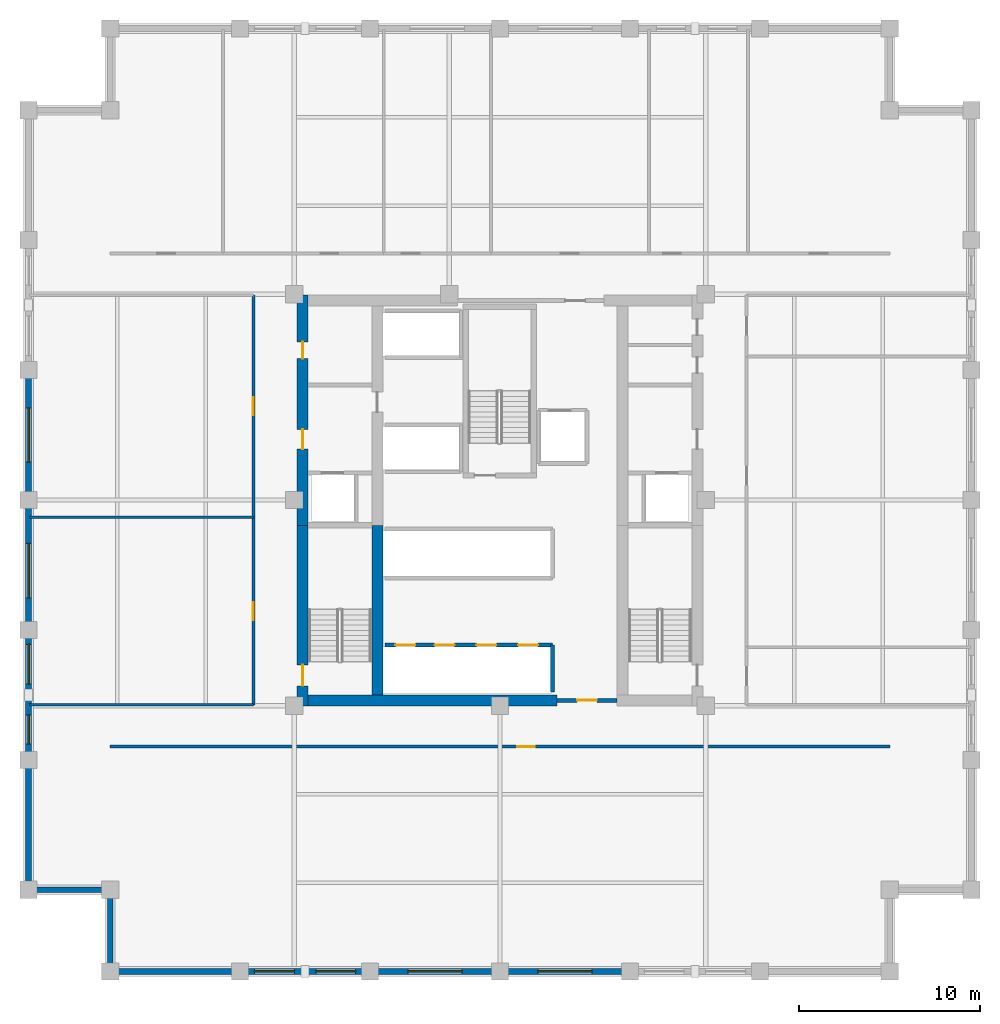
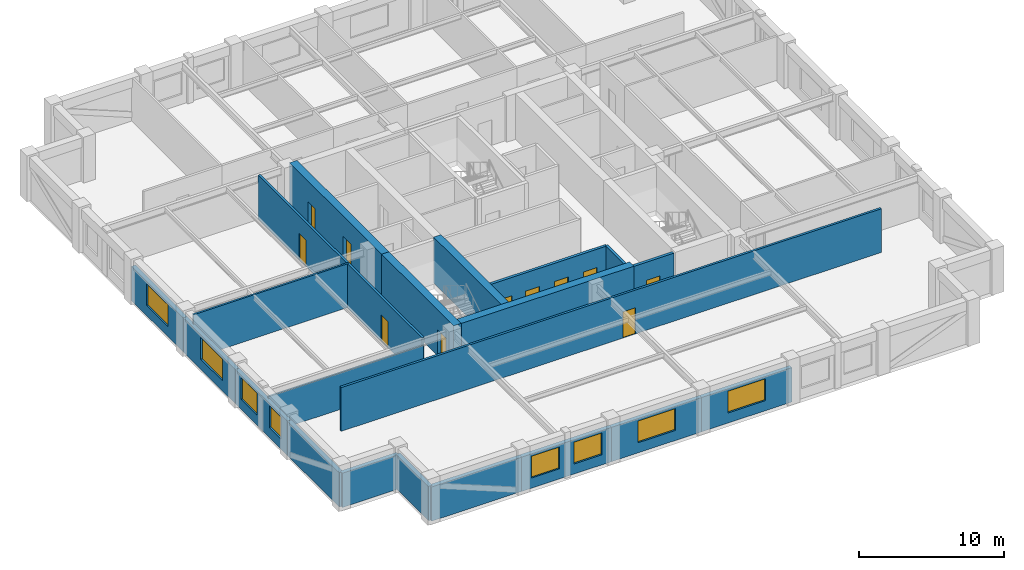
# One storey, part 2 of 6: 22 walls, 11 doors, 8 windows, 19 openings.
"""IFC4 building model written with IfcOpenShell, lengths in metres."""

from ifc_helpers import new_model, si_unit, direction, frame, frame_2d, origin, place, context, subcontext, project, spatial, rectangle, extrude, material, layer, layer_set, type_object, element, fill, save


model = new_model("IFC4")

# Units and contexts
model_context = context("Model", 3, precision=1e-05, world=origin(), true_north=direction((0.0, 1.0)))
body_context = subcontext(model_context, "Body", "Model", "MODEL_VIEW")
ifc_project = project(units=[si_unit("LENGTHUNIT", "METRE"), si_unit("AREAUNIT", "SQUARE_METRE"), si_unit("VOLUMEUNIT", "CUBIC_METRE"), si_unit("PLANEANGLEUNIT", "RADIAN"), si_unit("MASSUNIT", "GRAM", prefix="KILO")], contexts=[model_context])

# Site, building, storey
site_placement = place(None, origin())
site = spatial("IfcSite", under=ifc_project, at=site_placement, CompositionType="ELEMENT")
building_placement = place(site_placement, origin())
building = spatial("IfcBuilding", under=site, at=building_placement, Name="Nhamokura Convention Tower", CompositionType="ELEMENT")
storey_placement = place(building_placement, frame((0.0, 0.0, 114.449951171875)))
storey = spatial("IfcBuildingStorey", under=building, at=storey_placement, Name="L27", CompositionType="ELEMENT", Elevation=114.449951171875)

# Wall
ifc_material_1 = material(Name="Bronze-pigmented precast concrete C45/55", Category="concrete")
ifc_layer_1 = layer(ifc_material_1, 0.320068359375)
ifc_layer_set_1 = layer_set([ifc_layer_1], Name="BronzePrecastSpandrel_320")
wall_type_1 = type_object("IfcWallType", Name="BronzePrecastSpandrel_320", PredefinedType="USERDEFINED", material=ifc_layer_set_1)
wall_1_placement = place(storey_placement, frame((17.666748046875, 6.0, 0.0), z_axis=(0.0, 0.0, 1.0), x_axis=(-1.0, 0.0, 0.0)))
element("IfcWall", 1, at=wall_1_placement, inside=storey, type_object=wall_type_1, Name="L27 Braced-Bay Precast Wall SOUTH 0", ObjectType="SPANDREL_WALL", PredefinedType="USERDEFINED", context=body_context, shape_type="SweptSolid", body=[
    extrude(rectangle(XDim=7.166748046875, YDim=0.320068359375, at=frame_2d((3.58349609375, 0.0))), origin(), (0.0, 0.0, 1.0), 2.885009765625),
])

# Wall, openings, windows
wall_2_placement = place(storey_placement, frame((24.833251953125, 6.0, 0.0), z_axis=(0.0, 0.0, 1.0), x_axis=(-1.0, 0.0, 0.0)))
wall_2 = element("IfcWall", 2, at=wall_2_placement, inside=storey, type_object=wall_type_1, Name="L27 Masonry-Frame Wall SOUTH 1", ObjectType="SPANDREL_WALL", PredefinedType="USERDEFINED", context=body_context, shape_type="SweptSolid", body=[
    extrude(rectangle(XDim=7.16650390625, YDim=0.320068359375, at=frame_2d((3.583251953125, 0.0))), origin(), (0.0, 0.0, 1.0), 2.885009765625),
])
opening_1_placement = place(wall_2_placement, frame((0.791748046875, 0.0, 0.85009765625)))
opening_1 = element("IfcOpeningElement", 3, at=opening_1_placement, cuts=wall_2, Name="Opening W-06", PredefinedType="OPENING", context=body_context, shape_type="SweptSolid", body=[
    extrude(rectangle(XDim=2.199951171875, YDim=1.8349609375, at=frame_2d((1.10009765625, 0.91748046875))), frame((0.0, 0.169921875, 0.0), z_axis=(0.0, -1.0, 0.0), x_axis=(1.0, 0.0, 0.0)), (0.0, 0.0, 1.0), 0.340087890625),
])
opening_2_placement = place(wall_2_placement, frame((4.175048828125, 0.0, 0.85009765625)))
opening_2 = element("IfcOpeningElement", 4, at=opening_2_placement, cuts=wall_2, Name="Opening W-06", PredefinedType="OPENING", context=body_context, shape_type="SweptSolid", body=[
    extrude(rectangle(XDim=2.199951171875, YDim=1.8349609375, at=frame_2d((1.10009765625, 0.91748046875))), frame((0.0, 0.169921875, 0.0), z_axis=(0.0, -1.0, 0.0), x_axis=(1.0, 0.0, 0.0)), (0.0, 0.0, 1.0), 0.340087890625),
])
ifc_material_2 = material(Name="Solar-control bronze low-E double glass", Category="glass")
window_type_1 = type_object("IfcWindowType", Name="OfficeModuleWindow_Z2_2200", PartitioningType="SINGLE_PANEL", PredefinedType="WINDOW", material=ifc_material_2)
window_1_placement = place(opening_1_placement, origin())
window_1 = element("IfcWindow", 5, at=window_1_placement, inside=storey, type_object=window_type_1, Name="L27 Facade Window SOUTH 1-1", OverallHeight=1.8349609375, OverallWidth=2.199951171875, PartitioningType="SINGLE_PANEL", PredefinedType="WINDOW", context=body_context, shape_type="SweptSolid", body=[
    extrude(rectangle(XDim=2.199951171875, YDim=1.8349609375, at=frame_2d((1.10009765625, 0.91748046875))), frame((0.0, 0.030029296875, 0.0), z_axis=(0.0, -1.0, 0.0), x_axis=(1.0, 0.0, 0.0)), (0.0, 0.0, 1.0), 0.06005859375),
])
fill(opening_1, window_1)
window_2_placement = place(opening_2_placement, origin())
window_2 = element("IfcWindow", 6, at=window_2_placement, inside=storey, type_object=window_type_1, Name="L27 Facade Window SOUTH 1-2", OverallHeight=1.8349609375, OverallWidth=2.199951171875, PartitioningType="SINGLE_PANEL", PredefinedType="WINDOW", context=body_context, shape_type="SweptSolid", body=[
    extrude(rectangle(XDim=2.199951171875, YDim=1.8349609375, at=frame_2d((1.10009765625, 0.91748046875))), frame((0.0, 0.030029296875, 0.0), z_axis=(0.0, -1.0, 0.0), x_axis=(1.0, 0.0, 0.0)), (0.0, 0.0, 1.0), 0.06005859375),
])
fill(opening_2, window_2)

# Wall, opening, window
wall_3_placement = place(storey_placement, frame((32.0, 6.0, 0.0), z_axis=(0.0, 0.0, 1.0), x_axis=(-1.0, 0.0, 0.0)))
wall_3 = element("IfcWall", 7, at=wall_3_placement, inside=storey, type_object=wall_type_1, Name="L27 Masonry-Frame Wall SOUTH 2", ObjectType="SPANDREL_WALL", PredefinedType="USERDEFINED", context=body_context, shape_type="SweptSolid", body=[
    extrude(rectangle(XDim=7.166748046875, YDim=0.320068359375, at=frame_2d((3.58349609375, 0.0))), origin(), (0.0, 0.0, 1.0), 2.885009765625),
])
opening_3_placement = place(wall_3_placement, frame((2.083251953125, 0.0, 0.85009765625)))
opening_3 = element("IfcOpeningElement", 8, at=opening_3_placement, cuts=wall_3, Name="Opening W-05", PredefinedType="OPENING", context=body_context, shape_type="SweptSolid", body=[
    extrude(rectangle(XDim=3.0, YDim=1.8349609375, at=frame_2d((1.5, 0.91748046875))), frame((0.0, 0.169921875, 0.0), z_axis=(0.0, -1.0, 0.0), x_axis=(1.0, 0.0, 0.0)), (0.0, 0.0, 1.0), 0.340087890625),
])
ifc_material_3 = material(Name="Solar-control bronze low-E double glass", Category="glass")
window_type_2 = type_object("IfcWindowType", Name="OfficeModuleWindow_Z2_3000", PartitioningType="DOUBLE_PANEL_VERTICAL", PredefinedType="WINDOW", material=ifc_material_3)
window_3_placement = place(opening_3_placement, origin())
window_3 = element("IfcWindow", 9, at=window_3_placement, inside=storey, type_object=window_type_2, Name="L27 Facade Window SOUTH 2", OverallHeight=1.8349609375, OverallWidth=3.0, PartitioningType="SINGLE_PANEL", PredefinedType="WINDOW", context=body_context, shape_type="SweptSolid", body=[
    extrude(rectangle(XDim=3.0, YDim=1.8349609375, at=frame_2d((1.5, 0.91748046875))), frame((0.0, 0.030029296875, 0.0), z_axis=(0.0, -1.0, 0.0), x_axis=(1.0, 0.0, 0.0)), (0.0, 0.0, 1.0), 0.06005859375),
])
fill(opening_3, window_3)

wall_4_placement = place(storey_placement, frame((39.166748046875, 6.0, 0.0), z_axis=(0.0, 0.0, 1.0), x_axis=(-1.0, 0.0, 0.0)))
wall_4 = element("IfcWall", 10, at=wall_4_placement, inside=storey, type_object=wall_type_1, Name="L27 Masonry-Frame Wall SOUTH 3", ObjectType="SPANDREL_WALL", PredefinedType="USERDEFINED", context=body_context, shape_type="SweptSolid", body=[
    extrude(rectangle(XDim=7.166748046875, YDim=0.320068359375, at=frame_2d((3.58349609375, 0.0))), origin(), (0.0, 0.0, 1.0), 2.885009765625),
])
opening_4_placement = place(wall_4_placement, frame((2.083251953125, 0.0, 0.85009765625)))
opening_4 = element("IfcOpeningElement", 11, at=opening_4_placement, cuts=wall_4, Name="Opening W-05", PredefinedType="OPENING", context=body_context, shape_type="SweptSolid", body=[
    extrude(rectangle(XDim=3.0, YDim=1.8349609375, at=frame_2d((1.5, 0.91748046875))), frame((0.0, 0.169921875, 0.0), z_axis=(0.0, -1.0, 0.0), x_axis=(1.0, 0.0, 0.0)), (0.0, 0.0, 1.0), 0.340087890625),
])
window_4_placement = place(opening_4_placement, origin())
window_4 = element("IfcWindow", 12, at=window_4_placement, inside=storey, type_object=window_type_2, Name="L27 Facade Window SOUTH 3", OverallHeight=1.8349609375, OverallWidth=3.0, PartitioningType="SINGLE_PANEL", PredefinedType="WINDOW", context=body_context, shape_type="SweptSolid", body=[
    extrude(rectangle(XDim=3.0, YDim=1.8349609375, at=frame_2d((1.5, 0.91748046875))), frame((0.0, 0.030029296875, 0.0), z_axis=(0.0, -1.0, 0.0), x_axis=(1.0, 0.0, 0.0)), (0.0, 0.0, 1.0), 0.06005859375),
])
fill(opening_4, window_4)

# Wall
wall_5_placement = place(storey_placement, frame((6.0, 10.5, 0.0), z_axis=(0.0, 0.0, 1.0), x_axis=(0.0, 1.0, 0.0)))
element("IfcWall", 13, at=wall_5_placement, inside=storey, type_object=wall_type_1, Name="L27 Braced-Bay Precast Wall WEST 0", ObjectType="SPANDREL_WALL", PredefinedType="USERDEFINED", context=body_context, shape_type="SweptSolid", body=[
    extrude(rectangle(XDim=7.166748046875, YDim=0.320068359375, at=frame_2d((3.58349609375, 0.0))), origin(), (0.0, 0.0, 1.0), 2.885009765625),
])

# Wall, openings, windows
wall_6_placement = place(storey_placement, frame((6.0, 17.666748046875, 0.0), z_axis=(0.0, 0.0, 1.0), x_axis=(0.0, 1.0, 0.0)))
wall_6 = element("IfcWall", 14, at=wall_6_placement, inside=storey, type_object=wall_type_1, Name="L27 Masonry-Frame Wall WEST 1", ObjectType="SPANDREL_WALL", PredefinedType="USERDEFINED", context=body_context, shape_type="SweptSolid", body=[
    extrude(rectangle(XDim=7.16650390625, YDim=0.320068359375, at=frame_2d((3.583251953125, 0.0))), origin(), (0.0, 0.0, 1.0), 2.885009765625),
])
opening_5_placement = place(wall_6_placement, frame((0.879150390625, 0.0, 0.85009765625)))
opening_5 = element("IfcOpeningElement", 15, at=opening_5_placement, cuts=wall_6, Name="Opening W-11", PredefinedType="OPENING", context=body_context, shape_type="SweptSolid", body=[
    extrude(rectangle(XDim=1.60009765625, YDim=1.8349609375, at=frame_2d((0.800048828125, 0.91748046875))), frame((0.0, 0.169921875, 0.0), z_axis=(0.0, -1.0, 0.0), x_axis=(1.0, 0.0, 0.0)), (0.0, 0.0, 1.0), 0.340087890625),
])
opening_6_placement = place(wall_6_placement, frame((4.175048828125, 0.0, 0.85009765625)))
opening_6 = element("IfcOpeningElement", 16, at=opening_6_placement, cuts=wall_6, Name="Opening W-06", PredefinedType="OPENING", context=body_context, shape_type="SweptSolid", body=[
    extrude(rectangle(XDim=2.199951171875, YDim=1.8349609375, at=frame_2d((1.10009765625, 0.91748046875))), frame((0.0, 0.169921875, 0.0), z_axis=(0.0, -1.0, 0.0), x_axis=(1.0, 0.0, 0.0)), (0.0, 0.0, 1.0), 0.340087890625),
])
ifc_material_4 = material(Name="Solar-control bronze low-E double glass", Category="glass")
window_type_3 = type_object("IfcWindowType", Name="NotchCornerWindow_1600", PartitioningType="SINGLE_PANEL", PredefinedType="WINDOW", material=ifc_material_4)
window_5_placement = place(opening_5_placement, origin())
window_5 = element("IfcWindow", 17, at=window_5_placement, inside=storey, type_object=window_type_3, Name="L27 Facade Window WEST 1-1", OverallHeight=1.8349609375, OverallWidth=1.60009765625, PartitioningType="SINGLE_PANEL", PredefinedType="WINDOW", context=body_context, shape_type="SweptSolid", body=[
    extrude(rectangle(XDim=1.60009765625, YDim=1.8349609375, at=frame_2d((0.800048828125, 0.91748046875))), frame((0.0, 0.030029296875, 0.0), z_axis=(0.0, -1.0, 0.0), x_axis=(1.0, 0.0, 0.0)), (0.0, 0.0, 1.0), 0.06005859375),
])
fill(opening_5, window_5)
window_6_placement = place(opening_6_placement, origin())
window_6 = element("IfcWindow", 18, at=window_6_placement, inside=storey, type_object=window_type_1, Name="L27 Facade Window WEST 1-2", OverallHeight=1.8349609375, OverallWidth=2.199951171875, PartitioningType="SINGLE_PANEL", PredefinedType="WINDOW", context=body_context, shape_type="SweptSolid", body=[
    extrude(rectangle(XDim=2.199951171875, YDim=1.8349609375, at=frame_2d((1.10009765625, 0.91748046875))), frame((0.0, 0.030029296875, 0.0), z_axis=(0.0, -1.0, 0.0), x_axis=(1.0, 0.0, 0.0)), (0.0, 0.0, 1.0), 0.06005859375),
])
fill(opening_6, window_6)

# Wall, opening, window
wall_7_placement = place(storey_placement, frame((6.0, 24.833251953125, 0.0), z_axis=(0.0, 0.0, 1.0), x_axis=(0.0, 1.0, 0.0)))
wall_7 = element("IfcWall", 19, at=wall_7_placement, inside=storey, type_object=wall_type_1, Name="L27 Masonry-Frame Wall WEST 2", ObjectType="SPANDREL_WALL", PredefinedType="USERDEFINED", context=body_context, shape_type="SweptSolid", body=[
    extrude(rectangle(XDim=7.166748046875, YDim=0.320068359375, at=frame_2d((3.58349609375, 0.0))), origin(), (0.0, 0.0, 1.0), 2.885009765625),
])
opening_7_placement = place(wall_7_placement, frame((1.770751953125, 0.0, 0.85009765625)))
opening_7 = element("IfcOpeningElement", 20, at=opening_7_placement, cuts=wall_7, Name="Opening W-05", PredefinedType="OPENING", context=body_context, shape_type="SweptSolid", body=[
    extrude(rectangle(XDim=3.0, YDim=1.8349609375, at=frame_2d((1.5, 0.91748046875))), frame((0.0, 0.169921875, 0.0), z_axis=(0.0, -1.0, 0.0), x_axis=(1.0, 0.0, 0.0)), (0.0, 0.0, 1.0), 0.340087890625),
])
window_7_placement = place(opening_7_placement, origin())
window_7 = element("IfcWindow", 21, at=window_7_placement, inside=storey, type_object=window_type_2, Name="L27 Facade Window WEST 2", OverallHeight=1.8349609375, OverallWidth=3.0, PartitioningType="SINGLE_PANEL", PredefinedType="WINDOW", context=body_context, shape_type="SweptSolid", body=[
    extrude(rectangle(XDim=3.0, YDim=1.8349609375, at=frame_2d((1.5, 0.91748046875))), frame((0.0, 0.030029296875, 0.0), z_axis=(0.0, -1.0, 0.0), x_axis=(1.0, 0.0, 0.0)), (0.0, 0.0, 1.0), 0.06005859375),
])
fill(opening_7, window_7)

wall_8_placement = place(storey_placement, frame((6.0, 32.0, 0.0), z_axis=(0.0, 0.0, 1.0), x_axis=(0.0, 1.0, 0.0)))
wall_8 = element("IfcWall", 22, at=wall_8_placement, inside=storey, type_object=wall_type_1, Name="L27 Masonry-Frame Wall WEST 3", ObjectType="SPANDREL_WALL", PredefinedType="USERDEFINED", context=body_context, shape_type="SweptSolid", body=[
    extrude(rectangle(XDim=7.166748046875, YDim=0.320068359375, at=frame_2d((3.58349609375, 0.0))), origin(), (0.0, 0.0, 1.0), 2.885009765625),
])
opening_8_placement = place(wall_8_placement, frame((2.083251953125, 0.0, 0.85009765625)))
opening_8 = element("IfcOpeningElement", 23, at=opening_8_placement, cuts=wall_8, Name="Opening W-05", PredefinedType="OPENING", context=body_context, shape_type="SweptSolid", body=[
    extrude(rectangle(XDim=3.0, YDim=1.8349609375, at=frame_2d((1.5, 0.91748046875))), frame((0.0, 0.169921875, 0.0), z_axis=(0.0, -1.0, 0.0), x_axis=(1.0, 0.0, 0.0)), (0.0, 0.0, 1.0), 0.340087890625),
])
window_8_placement = place(opening_8_placement, origin())
window_8 = element("IfcWindow", 24, at=window_8_placement, inside=storey, type_object=window_type_2, Name="L27 Facade Window WEST 3", OverallHeight=1.8349609375, OverallWidth=3.0, PartitioningType="SINGLE_PANEL", PredefinedType="WINDOW", context=body_context, shape_type="SweptSolid", body=[
    extrude(rectangle(XDim=3.0, YDim=1.8349609375, at=frame_2d((1.5, 0.91748046875))), frame((0.0, 0.030029296875, 0.0), z_axis=(0.0, -1.0, 0.0), x_axis=(1.0, 0.0, 0.0)), (0.0, 0.0, 1.0), 0.06005859375),
])
fill(opening_8, window_8)

# Walls
for number, where, z_axis, x_axis, name in (
    (25, (10.5, 6.0, 0.0), (0.0, 0.0, 1.0), (0.0, 1.0, 0.0), "L27 Notched Corner Wall SW1"),
    (26, (10.5, 10.5, 0.0), (0.0, 0.0, 1.0), (-1.0, 0.0, 0.0), "L27 Notched Corner Wall SW2"),
):
    element("IfcWall", number, at=place(storey_placement, frame(where, z_axis=z_axis, x_axis=x_axis)), inside=storey, type_object=wall_type_1, Name=name, ObjectType="SPANDREL_WALL", PredefinedType="USERDEFINED", context=body_context, shape_type="SweptSolid", body=[
        extrude(rectangle(XDim=4.5, YDim=0.320068359375, at=frame_2d((2.25, 0.0))), origin(), (0.0, 0.0, 1.0), 2.885009765625),
    ])

# Wall, opening, door
ifc_material_5 = material(Name="Concrete C60/75", Category="concrete")
ifc_layer_2 = layer(ifc_material_5, 0.60009765625)
ifc_layer_set_2 = layer_set([ifc_layer_2], Name="CoreShearWall_600")
wall_type_2 = type_object("IfcWallType", Name="CoreShearWall_600", PredefinedType="SHEAR", material=ifc_layer_set_2)
wall_9_placement = place(storey_placement, frame((21.110107421875, 20.64990234375, 0.0), z_axis=(0.0, 0.0, 1.0), x_axis=(0.0, 1.0, 0.0)))
wall_9 = element("IfcWall", 27, at=wall_9_placement, inside=storey, type_object=wall_type_2, Name="L27 Core Shear Wall CW-WS", PredefinedType="SHEAR", context=body_context, shape_type="SweptSolid", body=[
    extrude(rectangle(XDim=9.9501953125, YDim=0.60009765625, at=frame_2d((4.97509765625, 0.0))), origin(), (0.0, 0.0, 1.0), 3.85009765625),
])
opening_9_placement = place(wall_9_placement, frame((1.10009765625, 0.0, 0.0)))
opening_9 = element("IfcOpeningElement", 28, at=opening_9_placement, cuts=wall_9, Name="Opening D-04", PredefinedType="OPENING", context=body_context, shape_type="SweptSolid", body=[
    extrude(rectangle(XDim=1.14990234375, YDim=2.14990234375, at=frame_2d((0.574951171875, 1.074951171875))), frame((0.0, 0.31005859375, 0.0), z_axis=(0.0, -1.0, 0.0), x_axis=(1.0, 0.0, 0.0)), (0.0, 0.0, 1.0), 0.6201171875),
])
ifc_material_6 = material(Name="Fire-rated steel door", Category="steel")
door_type_1 = type_object("IfcDoorType", Name="StairSmokeDoor_1150", OperationType="NOTDEFINED", PredefinedType="DOOR", material=ifc_material_6)
door_1_placement = place(opening_9_placement, origin())
door_1 = element("IfcDoor", 29, at=door_1_placement, inside=storey, type_object=door_type_1, Name="L27 Core Door INT-L27-D-ST01", OperationType="SINGLE_SWING_LEFT", OverallHeight=2.14990234375, OverallWidth=1.14990234375, PredefinedType="DOOR", context=body_context, shape_type="SweptSolid", body=[
    extrude(rectangle(XDim=1.14990234375, YDim=2.14990234375, at=frame_2d((0.574951171875, 1.074951171875))), frame((0.0, 0.02490234375, 0.0), z_axis=(0.0, -1.0, 0.0), x_axis=(1.0, 0.0, 0.0)), (0.0, 0.0, 1.0), 0.050048828125),
])
fill(opening_9, door_1)

# Wall, openings, doors
wall_10_placement = place(storey_placement, frame((21.110107421875, 30.60009765625, 0.0), z_axis=(0.0, 0.0, 1.0), x_axis=(0.0, 1.0, 0.0)))
wall_10 = element("IfcWall", 30, at=wall_10_placement, inside=storey, type_object=wall_type_2, Name="L27 Core Shear Wall CW-WN", PredefinedType="SHEAR", context=body_context, shape_type="SweptSolid", body=[
    extrude(rectangle(XDim=12.699951171875, YDim=0.60009765625, at=frame_2d((6.35009765625, 0.0))), origin(), (0.0, 0.0, 1.0), 3.85009765625),
])
opening_10_placement = place(wall_10_placement, frame((4.199951171875, 0.0, 0.0)))
opening_10 = element("IfcOpeningElement", 31, at=opening_10_placement, cuts=wall_10, Name="Opening D-05", PredefinedType="OPENING", context=body_context, shape_type="SweptSolid", body=[
    extrude(rectangle(XDim=1.10009765625, YDim=2.14990234375, at=frame_2d((0.550048828125, 1.074951171875))), frame((0.0, 0.31005859375, 0.0), z_axis=(0.0, -1.0, 0.0), x_axis=(1.0, 0.0, 0.0)), (0.0, 0.0, 1.0), 0.6201171875),
])
opening_11_placement = place(wall_10_placement, frame((9.199951171875, 0.0, 0.0)))
opening_11 = element("IfcOpeningElement", 32, at=opening_11_placement, cuts=wall_10, Name="Opening D-10", PredefinedType="OPENING", context=body_context, shape_type="SweptSolid", body=[
    extrude(rectangle(XDim=0.919921875, YDim=2.10009765625, at=frame_2d((0.4599609375, 1.050048828125))), frame((0.0, 0.31005859375, 0.0), z_axis=(0.0, -1.0, 0.0), x_axis=(1.0, 0.0, 0.0)), (0.0, 0.0, 1.0), 0.6201171875),
])
ifc_material_7 = material(Name="Solid oak hardwood", Category="wood")
door_type_2 = type_object("IfcDoorType", Name="AccessibleWCDoor_920", OperationType="NOTDEFINED", PredefinedType="DOOR", material=ifc_material_7)
door_2_placement = place(opening_11_placement, origin())
door_2 = element("IfcDoor", 33, at=door_2_placement, inside=storey, type_object=door_type_2, Name="L27 Core Door INT-L27-D-AWC", OperationType="SINGLE_SWING_LEFT", OverallHeight=2.10009765625, OverallWidth=0.919921875, PredefinedType="DOOR", context=body_context, shape_type="SweptSolid", body=[
    extrude(rectangle(XDim=0.919921875, YDim=2.10009765625, at=frame_2d((0.4599609375, 1.050048828125))), frame((0.0, 0.02490234375, 0.0), z_axis=(0.0, -1.0, 0.0), x_axis=(1.0, 0.0, 0.0)), (0.0, 0.0, 1.0), 0.050048828125),
])
fill(opening_11, door_2)
ifc_material_8 = material(Name="Fire-rated steel door", Category="steel")
door_type_3 = type_object("IfcDoorType", Name="FireLobbyDoor_1100", OperationType="NOTDEFINED", PredefinedType="DOOR", material=ifc_material_8)
door_3_placement = place(opening_10_placement, origin())
door_3 = element("IfcDoor", 34, at=door_3_placement, inside=storey, type_object=door_type_3, Name="L27 Core Door INT-L27-D-FFLW", OperationType="SINGLE_SWING_RIGHT", OverallHeight=2.14990234375, OverallWidth=1.10009765625, PredefinedType="DOOR", context=body_context, shape_type="SweptSolid", body=[
    extrude(rectangle(XDim=1.10009765625, YDim=2.14990234375, at=frame_2d((0.550048828125, 1.074951171875))), frame((0.0, 0.02490234375, 0.0), z_axis=(0.0, -1.0, 0.0), x_axis=(1.0, 0.0, 0.0)), (0.0, 0.0, 1.0), 0.050048828125),
])
fill(opening_10, door_3)

# Walls
wall_11_placement = place(storey_placement, frame((21.409912109375, 20.949951171875, 0.0), z_axis=(0.0, 0.0, 1.0), x_axis=(1.0, 0.0, 0.0)))
element("IfcWall", 35, at=wall_11_placement, inside=storey, type_object=wall_type_2, Name="L27 Core Shear Wall CW-S1", PredefinedType="SHEAR", context=body_context, shape_type="SweptSolid", body=[
    extrude(rectangle(XDim=13.739990234375, YDim=0.60009765625, at=frame_2d((6.8701171875, 0.0))), origin(), (0.0, 0.0, 1.0), 3.85009765625),
])
wall_12_placement = place(storey_placement, frame((25.239990234375, 21.25, 0.0), z_axis=(0.0, 0.0, 1.0), x_axis=(0.0, 1.0, 0.0)))
element("IfcWall", 36, at=wall_12_placement, inside=storey, type_object=wall_type_2, Name="L27 Core Shear Wall CW-IWS", PredefinedType="SHEAR", context=body_context, shape_type="SweptSolid", body=[
    extrude(rectangle(XDim=9.35009765625, YDim=0.60009765625, at=frame_2d((4.675048828125, 0.0))), origin(), (0.0, 0.0, 1.0), 3.85009765625),
])

# Wall, opening, door
ifc_material_9 = material(Name="Fire-rated gypsum and masonry partition", Category="masonry")
ifc_layer_3 = layer(ifc_material_9, 0.179931640625)
ifc_layer_set_3 = layer_set([ifc_layer_3], Name="CorridorRatedWall_180")
wall_type_3 = type_object("IfcWallType", Name="CorridorRatedWall_180", PredefinedType="STANDARD", material=ifc_layer_set_3)
wall_13_placement = place(storey_placement, frame((10.5, 18.39990234375, 0.0), z_axis=(0.0, 0.0, 1.0), x_axis=(1.0, 0.0, 0.0)))
wall_13 = element("IfcWall", 37, at=wall_13_placement, inside=storey, type_object=wall_type_3, Name="L27 Wall INT-L27-CW-S00", PredefinedType="STANDARD", context=body_context, shape_type="SweptSolid", body=[
    extrude(rectangle(XDim=43.0, YDim=0.179931640625, at=frame_2d((21.5, 0.0))), origin(), (0.0, 0.0, 1.0), 3.68505859375),
])
opening_12_placement = place(wall_13_placement, frame((22.449951171875, 0.0, 0.0)))
opening_12 = element("IfcOpeningElement", 38, at=opening_12_placement, cuts=wall_13, Name="Opening D-08", PredefinedType="OPENING", context=body_context, shape_type="SweptSolid", body=[
    extrude(rectangle(XDim=0.97998046875, YDim=2.199951171875, at=frame_2d((0.489990234375, 1.10009765625))), frame((0.0, 0.099853515625, 0.0), z_axis=(0.0, -1.0, 0.0), x_axis=(1.0, 0.0, 0.0)), (0.0, 0.0, 1.0), 0.199951171875),
])
ifc_material_10 = material(Name="Solid oak hardwood", Category="wood")
door_type_4 = type_object("IfcDoorType", Name="OfficeEntryDoor_980", OperationType="NOTDEFINED", PredefinedType="DOOR", material=ifc_material_10)
door_4_placement = place(opening_12_placement, origin())
door_4 = element("IfcDoor", 39, at=door_4_placement, inside=storey, type_object=door_type_4, Name="L27 Open Plan Office S01 Door", OperationType="SINGLE_SWING_LEFT", OverallHeight=2.199951171875, OverallWidth=0.97998046875, PredefinedType="DOOR", context=body_context, shape_type="SweptSolid", body=[
    extrude(rectangle(XDim=0.97998046875, YDim=2.199951171875, at=frame_2d((0.489990234375, 1.10009765625))), frame((0.0, 0.02490234375, 0.0), z_axis=(0.0, -1.0, 0.0), x_axis=(1.0, 0.0, 0.0)), (0.0, 0.0, 1.0), 0.050048828125),
])
fill(opening_12, door_4)

wall_14_placement = place(storey_placement, frame((18.39990234375, 20.699951171875, 0.0), z_axis=(0.0, 0.0, 1.0), x_axis=(0.0, 1.0, 0.0)))
wall_14 = element("IfcWall", 40, at=wall_14_placement, inside=storey, type_object=wall_type_3, Name="L27 Wall INT-L27-CW-W00", PredefinedType="STANDARD", context=body_context, shape_type="SweptSolid", body=[
    extrude(rectangle(XDim=10.35009765625, YDim=0.179931640625, at=frame_2d((5.175048828125, 0.0))), origin(), (0.0, 0.0, 1.0), 3.68505859375),
])
opening_13_placement = place(wall_14_placement, frame((4.675048828125, 0.0, 0.0)))
opening_13 = element("IfcOpeningElement", 41, at=opening_13_placement, cuts=wall_14, Name="Opening D-08", PredefinedType="OPENING", context=body_context, shape_type="SweptSolid", body=[
    extrude(rectangle(XDim=0.97998046875, YDim=2.199951171875, at=frame_2d((0.489990234375, 1.10009765625))), frame((0.0, 0.099853515625, 0.0), z_axis=(0.0, -1.0, 0.0), x_axis=(1.0, 0.0, 0.0)), (0.0, 0.0, 1.0), 0.199951171875),
])
door_5_placement = place(opening_13_placement, origin())
door_5 = element("IfcDoor", 42, at=door_5_placement, inside=storey, type_object=door_type_4, Name="L27 Boardroom W01 Door", OperationType="SINGLE_SWING_LEFT", OverallHeight=2.199951171875, OverallWidth=0.97998046875, PredefinedType="DOOR", context=body_context, shape_type="SweptSolid", body=[
    extrude(rectangle(XDim=0.97998046875, YDim=2.199951171875, at=frame_2d((0.489990234375, 1.10009765625))), frame((0.0, 0.02490234375, 0.0), z_axis=(0.0, -1.0, 0.0), x_axis=(1.0, 0.0, 0.0)), (0.0, 0.0, 1.0), 0.050048828125),
])
fill(opening_13, door_5)

wall_15_placement = place(storey_placement, frame((18.39990234375, 31.050048828125, 0.0), z_axis=(0.0, 0.0, 1.0), x_axis=(0.0, 1.0, 0.0)))
wall_15 = element("IfcWall", 43, at=wall_15_placement, inside=storey, type_object=wall_type_3, Name="L27 Wall INT-L27-CW-W01", PredefinedType="STANDARD", context=body_context, shape_type="SweptSolid", body=[
    extrude(rectangle(XDim=12.25, YDim=0.179931640625, at=frame_2d((6.125, 0.0))), origin(), (0.0, 0.0, 1.0), 3.68505859375),
])
opening_14_placement = place(wall_15_placement, frame((5.625, 0.0, 0.0)))
opening_14 = element("IfcOpeningElement", 44, at=opening_14_placement, cuts=wall_15, Name="Opening D-08", PredefinedType="OPENING", context=body_context, shape_type="SweptSolid", body=[
    extrude(rectangle(XDim=0.97998046875, YDim=2.199951171875, at=frame_2d((0.489990234375, 1.10009765625))), frame((0.0, 0.099853515625, 0.0), z_axis=(0.0, -1.0, 0.0), x_axis=(1.0, 0.0, 0.0)), (0.0, 0.0, 1.0), 0.199951171875),
])
door_6_placement = place(opening_14_placement, origin())
door_6 = element("IfcDoor", 45, at=door_6_placement, inside=storey, type_object=door_type_4, Name="L27 Private Office W02 Door", OperationType="SINGLE_SWING_RIGHT", OverallHeight=2.199951171875, OverallWidth=0.97998046875, PredefinedType="DOOR", context=body_context, shape_type="SweptSolid", body=[
    extrude(rectangle(XDim=0.97998046875, YDim=2.199951171875, at=frame_2d((0.489990234375, 1.10009765625))), frame((0.0, 0.02490234375, 0.0), z_axis=(0.0, -1.0, 0.0), x_axis=(1.0, 0.0, 0.0)), (0.0, 0.0, 1.0), 0.050048828125),
])
fill(opening_14, door_6)

ifc_material_11 = material(Name="Autoclaved concrete blockwork", Category="masonry")
ifc_layer_4 = layer(ifc_material_11, 0.219970703125)
ifc_layer_set_4 = layer_set([ifc_layer_4], Name="FireLobbyWall_220")
wall_type_4 = type_object("IfcWallType", Name="FireLobbyWall_220", PredefinedType="STANDARD", material=ifc_layer_set_4)
wall_16_placement = place(storey_placement, frame((35.14990234375, 20.949951171875, 0.0), z_axis=(0.0, 0.0, 1.0), x_axis=(1.0, 0.0, 0.0)))
wall_16 = element("IfcWall", 46, at=wall_16_placement, inside=storey, type_object=wall_type_4, Name="L27 Wall INT-L27-SPORT-S", PredefinedType="STANDARD", context=body_context, shape_type="SweptSolid", body=[
    extrude(rectangle(XDim=3.300048828125, YDim=0.219970703125, at=frame_2d((1.64990234375, 0.0))), origin(), (0.0, 0.0, 1.0), 3.68505859375),
])
opening_15_placement = place(wall_16_placement, frame((1.10009765625, 0.0, 0.0)))
opening_15 = element("IfcOpeningElement", 47, at=opening_15_placement, cuts=wall_16, Name="Opening D-05", PredefinedType="OPENING", context=body_context, shape_type="SweptSolid", body=[
    extrude(rectangle(XDim=1.10009765625, YDim=2.14990234375, at=frame_2d((0.550048828125, 1.074951171875))), frame((0.0, 0.119873046875, 0.0), z_axis=(0.0, -1.0, 0.0), x_axis=(1.0, 0.0, 0.0)), (0.0, 0.0, 1.0), 0.239990234375),
])
door_7_placement = place(opening_15_placement, origin())
door_7 = element("IfcDoor", 48, at=door_7_placement, inside=storey, type_object=door_type_3, Name="L27 South Core Lobby Portal Door", OperationType="SINGLE_SWING_LEFT", OverallHeight=2.14990234375, OverallWidth=1.10009765625, PredefinedType="DOOR", context=body_context, shape_type="SweptSolid", body=[
    extrude(rectangle(XDim=1.10009765625, YDim=2.14990234375, at=frame_2d((0.550048828125, 1.074951171875))), frame((0.0, 0.02490234375, 0.0), z_axis=(0.0, -1.0, 0.0), x_axis=(1.0, 0.0, 0.0)), (0.0, 0.0, 1.0), 0.050048828125),
])
fill(opening_15, door_7)

# Wall, openings, doors
wall_17_placement = place(storey_placement, frame((25.64990234375, 24.0, 0.0), z_axis=(0.0, 0.0, 1.0), x_axis=(1.0, 0.0, 0.0)))
wall_17 = element("IfcWall", 49, at=wall_17_placement, inside=storey, type_object=wall_type_4, Name="L27 Wall INT-L27-B1N", PredefinedType="STANDARD", context=body_context, shape_type="SweptSolid", body=[
    extrude(rectangle(XDim=9.25, YDim=0.219970703125, at=frame_2d((4.625, 0.0))), origin(), (0.0, 0.0, 1.0), 3.68505859375),
])
opening_16_placement = place(wall_17_placement, frame((0.580078125, 0.0, 0.0)))
opening_16 = element("IfcOpeningElement", 50, at=opening_16_placement, cuts=wall_17, Name="Opening LD-01", PredefinedType="OPENING", context=body_context, shape_type="SweptSolid", body=[
    extrude(rectangle(XDim=1.10009765625, YDim=2.14990234375, at=frame_2d((0.550048828125, 1.074951171875))), frame((0.0, 0.119873046875, 0.0), z_axis=(0.0, -1.0, 0.0), x_axis=(1.0, 0.0, 0.0)), (0.0, 0.0, 1.0), 0.239990234375),
])
opening_17_placement = place(wall_17_placement, frame((2.75, 0.0, 0.0)))
opening_17 = element("IfcOpeningElement", 51, at=opening_17_placement, cuts=wall_17, Name="Opening LD-01", PredefinedType="OPENING", context=body_context, shape_type="SweptSolid", body=[
    extrude(rectangle(XDim=1.10009765625, YDim=2.14990234375, at=frame_2d((0.550048828125, 1.074951171875))), frame((0.0, 0.119873046875, 0.0), z_axis=(0.0, -1.0, 0.0), x_axis=(1.0, 0.0, 0.0)), (0.0, 0.0, 1.0), 0.239990234375),
])
opening_18_placement = place(wall_17_placement, frame((5.050048828125, 0.0, 0.0)))
opening_18 = element("IfcOpeningElement", 52, at=opening_18_placement, cuts=wall_17, Name="Opening LD-01", PredefinedType="OPENING", context=body_context, shape_type="SweptSolid", body=[
    extrude(rectangle(XDim=1.10009765625, YDim=2.14990234375, at=frame_2d((0.550048828125, 1.074951171875))), frame((0.0, 0.119873046875, 0.0), z_axis=(0.0, -1.0, 0.0), x_axis=(1.0, 0.0, 0.0)), (0.0, 0.0, 1.0), 0.239990234375),
])
opening_19_placement = place(wall_17_placement, frame((7.35009765625, 0.0, 0.0)))
opening_19 = element("IfcOpeningElement", 53, at=opening_19_placement, cuts=wall_17, Name="Opening LD-01", PredefinedType="OPENING", context=body_context, shape_type="SweptSolid", body=[
    extrude(rectangle(XDim=1.10009765625, YDim=2.14990234375, at=frame_2d((0.550048828125, 1.074951171875))), frame((0.0, 0.119873046875, 0.0), z_axis=(0.0, -1.0, 0.0), x_axis=(1.0, 0.0, 0.0)), (0.0, 0.0, 1.0), 0.239990234375),
])
ifc_material_12 = material(Name="Anodised bronze stainless steel", Category="steel")
door_type_5 = type_object("IfcDoorType", Name="LiftLandingDoor_Passenger", OperationType="DOUBLE_DOOR_SLIDING", PredefinedType="DOOR", material=ifc_material_12)
door_8_placement = place(opening_16_placement, origin())
door_8 = element("IfcDoor", 54, at=door_8_placement, inside=storey, type_object=door_type_5, Name="L27 Lift LP-01 Landing Door", OperationType="DOUBLE_DOOR_SLIDING", OverallHeight=2.14990234375, OverallWidth=1.10009765625, PredefinedType="DOOR", context=body_context, shape_type="SweptSolid", body=[
    extrude(rectangle(XDim=1.10009765625, YDim=2.14990234375, at=frame_2d((0.550048828125, 1.074951171875))), frame((0.0, 0.02490234375, 0.0), z_axis=(0.0, -1.0, 0.0), x_axis=(1.0, 0.0, 0.0)), (0.0, 0.0, 1.0), 0.050048828125),
])
fill(opening_16, door_8)
door_9_placement = place(opening_17_placement, origin())
door_9 = element("IfcDoor", 55, at=door_9_placement, inside=storey, type_object=door_type_5, Name="L27 Lift LP-02 Landing Door", OperationType="DOUBLE_DOOR_SLIDING", OverallHeight=2.14990234375, OverallWidth=1.10009765625, PredefinedType="DOOR", context=body_context, shape_type="SweptSolid", body=[
    extrude(rectangle(XDim=1.10009765625, YDim=2.14990234375, at=frame_2d((0.550048828125, 1.074951171875))), frame((0.0, 0.02490234375, 0.0), z_axis=(0.0, -1.0, 0.0), x_axis=(1.0, 0.0, 0.0)), (0.0, 0.0, 1.0), 0.050048828125),
])
fill(opening_17, door_9)
door_10_placement = place(opening_18_placement, origin())
door_10 = element("IfcDoor", 56, at=door_10_placement, inside=storey, type_object=door_type_5, Name="L27 Lift LP-03 Landing Door", OperationType="DOUBLE_DOOR_SLIDING", OverallHeight=2.14990234375, OverallWidth=1.10009765625, PredefinedType="DOOR", context=body_context, shape_type="SweptSolid", body=[
    extrude(rectangle(XDim=1.10009765625, YDim=2.14990234375, at=frame_2d((0.550048828125, 1.074951171875))), frame((0.0, 0.02490234375, 0.0), z_axis=(0.0, -1.0, 0.0), x_axis=(1.0, 0.0, 0.0)), (0.0, 0.0, 1.0), 0.050048828125),
])
fill(opening_18, door_10)
door_11_placement = place(opening_19_placement, origin())
door_11 = element("IfcDoor", 57, at=door_11_placement, inside=storey, type_object=door_type_5, Name="L27 Lift LP-04 Landing Door", OperationType="DOUBLE_DOOR_SLIDING", OverallHeight=2.14990234375, OverallWidth=1.10009765625, PredefinedType="DOOR", context=body_context, shape_type="SweptSolid", body=[
    extrude(rectangle(XDim=1.10009765625, YDim=2.14990234375, at=frame_2d((0.550048828125, 1.074951171875))), frame((0.0, 0.02490234375, 0.0), z_axis=(0.0, -1.0, 0.0), x_axis=(1.0, 0.0, 0.0)), (0.0, 0.0, 1.0), 0.050048828125),
])
fill(opening_19, door_11)

# Walls
wall_18_placement = place(storey_placement, frame((34.89990234375, 21.39990234375, 0.0), z_axis=(0.0, 0.0, 1.0), x_axis=(0.0, 1.0, 0.0)))
element("IfcWall", 58, at=wall_18_placement, inside=storey, type_object=wall_type_4, Name="L27 Wall INT-L27-B1E", PredefinedType="STANDARD", context=body_context, shape_type="SweptSolid", body=[
    extrude(rectangle(XDim=2.60009765625, YDim=0.219970703125, at=frame_2d((1.300048828125, 0.0))), origin(), (0.0, 0.0, 1.0), 3.68505859375),
])
ifc_material_13 = material(Name="Acoustic gypsum stud partition", Category="masonry")
ifc_layer_5 = layer(ifc_material_13, 0.14990234375)
ifc_layer_set_5 = layer_set([ifc_layer_5], Name="InteriorPartition_150")
wall_type_5 = type_object("IfcWallType", Name="InteriorPartition_150", PredefinedType="STANDARD", material=ifc_layer_set_5)
wall_19_placement = place(storey_placement, frame((6.06005859375, 20.699951171875, 0.0), z_axis=(0.0, 0.0, 1.0), x_axis=(1.0, 0.0, 0.0)))
element("IfcWall", 59, at=wall_19_placement, inside=storey, type_object=wall_type_5, Name="L27 Wall INT-L27-RWB-W", PredefinedType="STANDARD", context=body_context, shape_type="SweptSolid", body=[
    extrude(rectangle(XDim=12.33984375, YDim=0.14990234375, at=frame_2d((6.169921875, 0.0))), origin(), (0.0, 0.0, 1.0), 3.06494140625),
])
wall_20_placement = place(storey_placement, frame((6.06005859375, 31.050048828125, 0.0), z_axis=(0.0, 0.0, 1.0), x_axis=(1.0, 0.0, 0.0)))
element("IfcWall", 60, at=wall_20_placement, inside=storey, type_object=wall_type_5, Name="L27 Wall INT-L27-RW-W01", PredefinedType="STANDARD", context=body_context, shape_type="SweptSolid", body=[
    extrude(rectangle(XDim=12.33984375, YDim=0.14990234375, at=frame_2d((6.169921875, 0.0))), origin(), (0.0, 0.0, 1.0), 3.68505859375),
])

save(model, "model.ifc")
